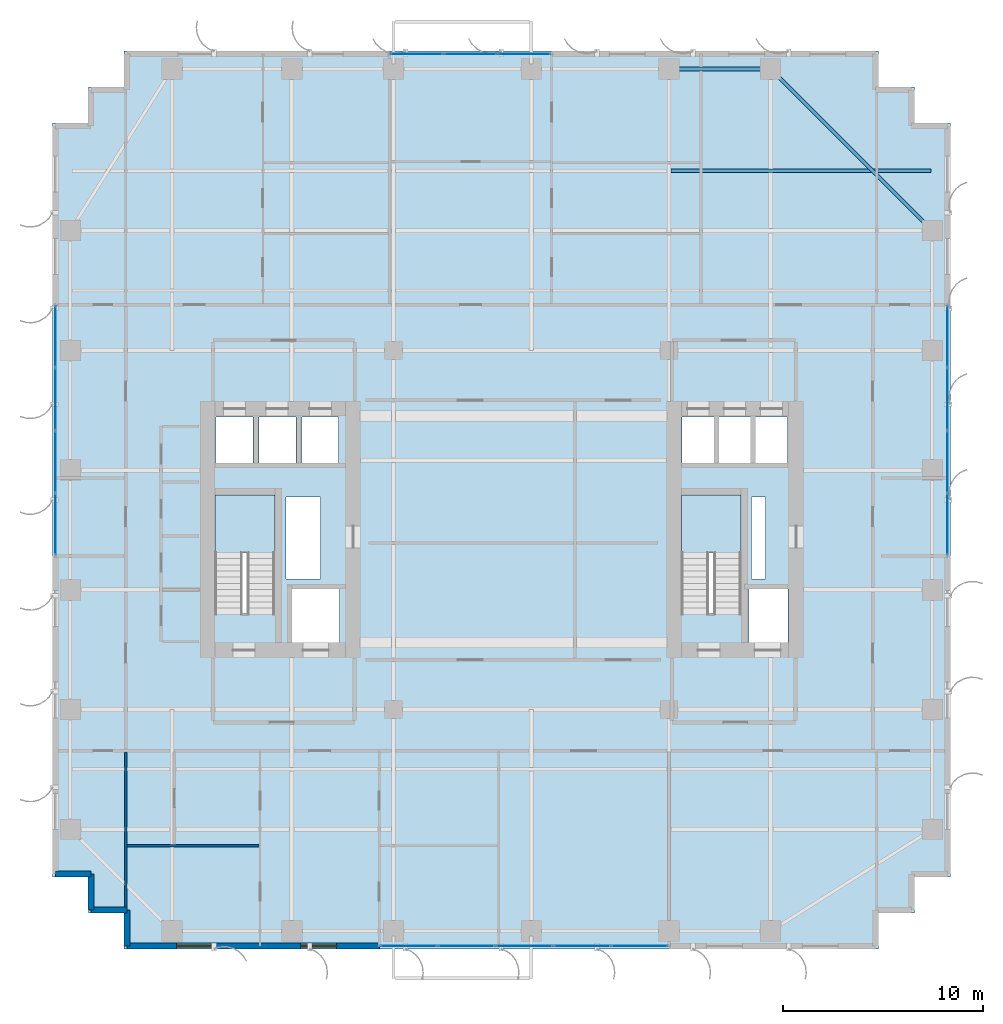
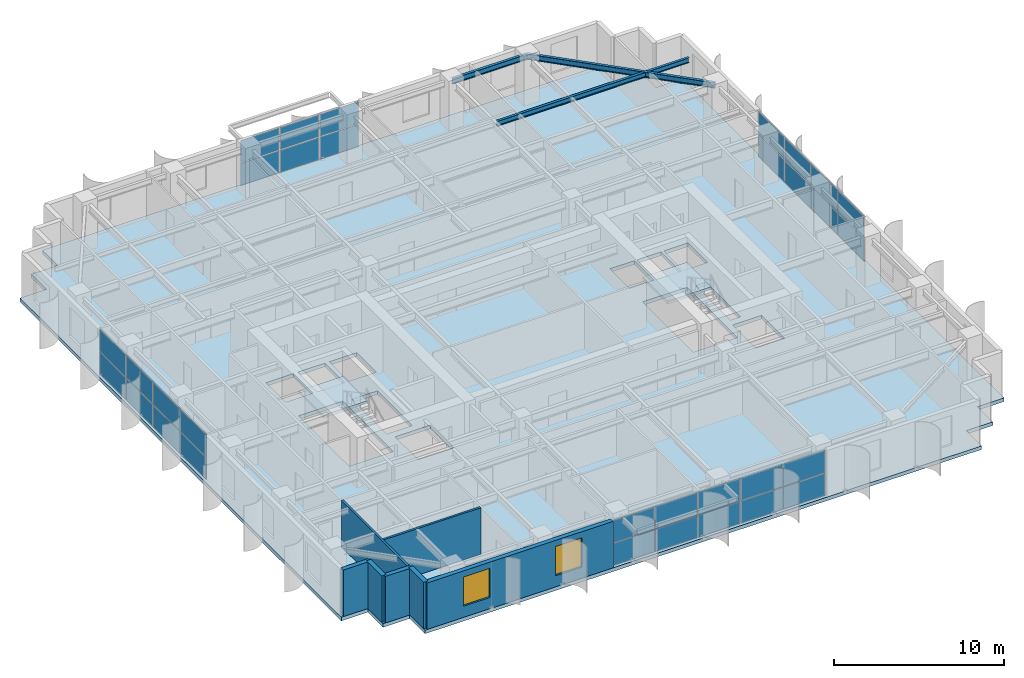
# One storey, part 15 of 23: 32 plates, 7 walls, 3 beams, 3 slabs, 2 windows, 2 openings, 6 elements without a shape of their own.
"""IFC4 building model written with IfcOpenShell, lengths in metres."""

from ifc_helpers import new_model, si_unit, direction, frame, frame_2d, origin, origin_2d, place, context, subcontext, project, spatial, polyline, rectangle, i_section, outline, extrude, source, transform, mapped, material, layer, layer_set, material_profile, profile_set, type_object, element, fill, aggregate, save


model = new_model("IFC4")

# Units and contexts
model_context = context("Model", 3, precision=1e-05, world=origin(), true_north=direction((0.0, 1.0)))
body_context = subcontext(model_context, "Body", "Model", "MODEL_VIEW")
ifc_project = project(units=[si_unit("LENGTHUNIT", "METRE"), si_unit("AREAUNIT", "SQUARE_METRE"), si_unit("VOLUMEUNIT", "CUBIC_METRE"), si_unit("PLANEANGLEUNIT", "RADIAN"), si_unit("MASSUNIT", "GRAM", prefix="KILO")], contexts=[model_context])

# Site, building, storey
site_placement = place(None, origin())
site = spatial("IfcSite", under=ifc_project, at=site_placement, CompositionType="ELEMENT")
building_placement = place(site_placement, origin())
building = spatial("IfcBuilding", under=site, at=building_placement, Name="Khoralis Quay Care Tower", CompositionType="ELEMENT")
storey_placement = place(building_placement, frame((0.0, 0.0, 119.699951171875)))
storey = spatial("IfcBuildingStorey", under=building, at=storey_placement, Name="L31", CompositionType="ELEMENT", Elevation=119.699951171875)

# Beams
ifc_material_1 = material(Name="Steel S355", Category="steel")
ifc_material_profile_1 = material_profile(ifc_material_1, i_section(OverallWidth=0.179931640625, OverallDepth=0.39990234375, WebThickness=0.008544921875, FlangeThickness=0.013427734375, FilletRadius=0.02099609375, at=origin_2d()), Name="Steel S355")
ifc_profile_set_1 = profile_set([ifc_material_profile_1], Name="Steel S355")
beam_type_1 = type_object("IfcBeamType", Name="BM-IPE400", PredefinedType="SPANDREL", material=ifc_profile_set_1)
shared_shape_1 = source(origin(), body_context, "Body", "SweptSolid", [
    extrude(i_section(OverallWidth=0.179931640625, OverallDepth=0.39990234375, WebThickness=0.008544921875, FlangeThickness=0.013427734375, FilletRadius=0.02099609375, at=origin_2d()), origin(), (0.0, 0.0, 1.0), 5.10009765625),
])
beam_1_placement = place(storey_placement, frame((30.89990234375, 44.10009765625, 3.14013671875), z_axis=(1.0, 0.0, 0.0), x_axis=(0.0, 1.0, 0.0)))
element("IfcBeam", 1, at=beam_1_placement, inside=storey, type_object=beam_type_1, Name="BM-TSP-L31-10", PredefinedType="SPANDREL", context=body_context, shape_type="MappedRepresentation", body=[
    mapped(shared_shape_1, transform((0.0, 0.0, 0.0), scale=1.0)),
])
shared_shape_2 = source(origin(), body_context, "Body", "SweptSolid", [
    extrude(i_section(OverallWidth=0.179931640625, OverallDepth=0.39990234375, WebThickness=0.008544921875, FlangeThickness=0.013427734375, FilletRadius=0.02099609375, at=origin_2d()), origin(), (0.0, 0.0, 1.0), 11.455322265625),
])
beam_2_placement = place(storey_placement, frame((36.0, 44.10009765625, 3.14013671875), z_axis=(0.707106781187, -0.707106781187, 0.0), x_axis=(0.707106781187, 0.707106781187, 0.0)))
element("IfcBeam", 2, at=beam_2_placement, inside=storey, type_object=beam_type_1, Name="BM-TCR-L31-24", PredefinedType="SPANDREL", context=body_context, shape_type="MappedRepresentation", body=[
    mapped(shared_shape_2, transform((0.0, 0.0, 0.0), scale=1.0)),
])
ifc_material_profile_2 = material_profile(ifc_material_1, i_section(OverallWidth=0.1708984375, OverallDepth=0.35498046875, WebThickness=0.007080078125, FlangeThickness=0.01171875, FilletRadius=0.012939453125, at=origin_2d()), Name="Steel S355")
ifc_profile_set_2 = profile_set([ifc_material_profile_2], Name="Steel S355")
beam_type_2 = type_object("IfcBeamType", Name="BM-W360X51", PredefinedType="JOIST", material=ifc_profile_set_2)
shared_shape_3 = source(origin(), body_context, "Body", "SweptSolid", [
    extrude(i_section(OverallWidth=0.1708984375, OverallDepth=0.35498046875, WebThickness=0.007080078125, FlangeThickness=0.01171875, FilletRadius=0.012939453125, at=origin_2d()), origin(), (0.0, 0.0, 1.0), 13.030029296875),
])
beam_3_placement = place(storey_placement, frame((30.993896484375, 39.0, 3.16259765625), z_axis=(1.0, 0.0, 0.0), x_axis=(0.0, 1.0, 0.0)))
element("IfcBeam", 3, at=beam_3_placement, inside=storey, type_object=beam_type_2, Name="BM-TJS-L31-32", PredefinedType="JOIST", context=body_context, shape_type="MappedRepresentation", body=[
    mapped(shared_shape_3, transform((0.0, 0.0, 0.0), scale=1.0)),
])

# Stair, slab
ifc_material_2 = material(Name="Precast concrete C45/55", Category="concrete")
stair_type = type_object("IfcStairType", Name="ST-TWR-DOGLEG-1400", PredefinedType="HALF_TURN_STAIR", material=ifc_material_2)
stair_1_placement = place(storey_placement, origin())
stair_1 = element("IfcStair", 4, at=stair_1_placement, inside=storey, type_object=stair_type, Name="L31 West Core Exit Stair ST-T1", PredefinedType="HALF_TURN_STAIR")
ifc_layer_1 = layer(ifc_material_2, 0.199951171875)
ifc_layer_set_1 = layer_set([ifc_layer_1], Name="Precast concrete C45/55")
slab_type_1 = type_object("IfcSlabType", Name="SLB-LANDING-200", PredefinedType="LANDING", material=ifc_layer_set_1)
slab_1_placement = place(storey_placement, frame((0.0, 0.0, 1.60009765625)))
slab_1 = element("IfcSlab", 5, at=slab_1_placement, type_object=slab_type_1, Name="ST-T1 landing 1", PredefinedType="LANDING", context=body_context, shape_type="SweptSolid", body=[
    extrude(outline(polyline([(11.14990234375, 19.840087890625), (11.14990234375, 22.75), (8.14990234375, 22.75), (8.14990234375, 19.840087890625), (11.14990234375, 19.840087890625)])), origin(), (0.0, 0.0, 1.0), 0.199951171875),
])
aggregate(stair_1, [slab_1])

stair_2_placement = place(storey_placement, origin())
stair_2 = element("IfcStair", 6, at=stair_2_placement, inside=storey, type_object=stair_type, Name="L31 East Core Exit Stair ST-T2", PredefinedType="HALF_TURN_STAIR")
slab_2_placement = place(storey_placement, frame((0.0, 0.0, 1.60009765625)))
slab_2 = element("IfcSlab", 7, at=slab_2_placement, type_object=slab_type_1, Name="ST-T2 landing 1", PredefinedType="LANDING", context=body_context, shape_type="SweptSolid", body=[
    extrude(outline(polyline([(34.52001953125, 19.840087890625), (34.52001953125, 22.75), (31.52001953125, 22.75), (31.52001953125, 19.840087890625), (34.52001953125, 19.840087890625)])), origin(), (0.0, 0.0, 1.0), 0.199951171875),
])
aggregate(stair_2, [slab_2])

# Slab
ifc_material_3 = material(Name="Concrete C40/50", Category="concrete")
ifc_layer_2 = layer(ifc_material_3, 0.260009765625)
ifc_layer_set_2 = layer_set([ifc_layer_2], Name="Concrete C40/50")
slab_type_2 = type_object("IfcSlabType", Name="SLB-TWR-260", PredefinedType="FLOOR", material=ifc_layer_set_2)
slab_3_placement = place(storey_placement, frame((0.0, 0.0, -0.260009765625)))
element("IfcSlab", 8, at=slab_3_placement, inside=storey, type_object=slab_type_2, Name="Tower Floor Slab L31", PredefinedType="FLOOR", context=body_context, shape_type="SweptSolid", body=[
    extrude(outline(polyline([(3.60009765625, 0.0), (41.39990234375, 0.0), (41.39990234375, 1.800048828125), (43.199951171875, 1.800048828125), (43.199951171875, 3.60009765625), (45.0, 3.60009765625), (45.0, 41.39990234375), (43.199951171875, 41.39990234375), (43.199951171875, 43.199951171875), (41.39990234375, 43.199951171875), (41.39990234375, 45.0), (3.60009765625, 45.0), (3.60009765625, 43.199951171875), (1.800048828125, 43.199951171875), (1.800048828125, 41.39990234375), (0.0, 41.39990234375), (0.0, 3.60009765625), (1.800048828125, 3.60009765625), (1.800048828125, 1.800048828125), (3.60009765625, 1.800048828125), (3.60009765625, 0.0)]), holes=[polyline([(11.14990234375, 16.800048828125), (11.14990234375, 22.75), (8.14990234375, 22.75), (8.14990234375, 16.800048828125), (11.14990234375, 16.800048828125)]), polyline([(34.52001953125, 16.800048828125), (34.52001953125, 22.75), (31.52001953125, 22.75), (31.52001953125, 16.800048828125), (34.52001953125, 16.800048828125)]), polyline([(12.0, 15.35009765625), (14.39990234375, 15.35009765625), (14.39990234375, 18.050048828125), (12.0, 18.050048828125), (12.0, 15.35009765625)]), polyline([(34.919921875, 15.35009765625), (36.8798828125, 15.35009765625), (36.8798828125, 18.050048828125), (34.919921875, 18.050048828125), (34.919921875, 15.35009765625)]), polyline([(8.199951171875, 24.35009765625), (10.050048828125, 24.35009765625), (10.050048828125, 26.64990234375), (8.199951171875, 26.64990234375), (8.199951171875, 24.35009765625)]), polyline([(31.550048828125, 24.35009765625), (33.199951171875, 24.35009765625), (33.199951171875, 26.64990234375), (31.550048828125, 26.64990234375), (31.550048828125, 24.35009765625)]), polyline([(10.35009765625, 24.35009765625), (12.199951171875, 24.35009765625), (12.199951171875, 26.64990234375), (10.35009765625, 26.64990234375), (10.35009765625, 24.35009765625)]), polyline([(33.3798828125, 24.35009765625), (35.030029296875, 24.35009765625), (35.030029296875, 26.64990234375), (33.3798828125, 26.64990234375), (33.3798828125, 24.35009765625)]), polyline([(12.5, 24.35009765625), (14.35009765625, 24.35009765625), (14.35009765625, 26.64990234375), (12.5, 26.64990234375), (12.5, 24.35009765625)]), polyline([(35.199951171875, 24.35009765625), (36.85009765625, 24.35009765625), (36.85009765625, 26.64990234375), (35.199951171875, 26.64990234375), (35.199951171875, 24.35009765625)]), polyline([(11.719970703125, 18.550048828125), (13.449951171875, 18.550048828125), (13.449951171875, 22.64990234375), (11.719970703125, 22.64990234375), (11.719970703125, 18.550048828125)]), polyline([(35.050048828125, 18.550048828125), (35.75, 18.550048828125), (35.75, 22.64990234375), (35.050048828125, 22.64990234375), (35.050048828125, 18.550048828125)])]), origin(), (0.0, 0.0, 1.0), 0.260009765625),
])

# Curtain wall, plates
ifc_material_4 = material(Name="Pale anodised aluminium", Category="aluminium")
ifc_layer_3 = layer(ifc_material_4, 0.169921875)
ifc_layer_set_3 = layer_set([ifc_layer_3], Name="Pale anodised aluminium")
curtain_wall_type = type_object("IfcCurtainWallType", Name="CW-SYS-Z2", PredefinedType="NOTDEFINED", material=ifc_layer_set_3)
curtain_wall_1_placement = place(storey_placement, origin())
curtain_wall_1 = element("IfcCurtainWall", 9, at=curtain_wall_1_placement, inside=storey, type_object=curtain_wall_type, Name="L31 Unitised Curtain Wall CW-L31-P1-E5", PredefinedType="NOTDEFINED")
ifc_material_5 = material(Name="Low-E solar-control double glazing", Category="glass")
ifc_layer_4 = layer(ifc_material_5, 0.031982421875)
ifc_layer_set_4 = layer_set([ifc_layer_4], Name="Low-E solar-control double glazing")
plate_type = type_object("IfcPlateType", Name="PNL-VIS-32", PredefinedType="CURTAIN_PANEL", material=ifc_layer_set_4)
shared_shape_4 = source(origin(), body_context, "Body", "SweptSolid", [
    extrude(rectangle(XDim=3.054931640625, YDim=0.028076171875, at=origin_2d()), origin(), (0.0, 0.0, 1.0), 1.580078125),
])
plate_1_placement = place(storey_placement, frame((44.85009765625, 21.28759765625, 0.06005859375), z_axis=(0.0, 0.0, 1.0), x_axis=(0.0, 1.0, 0.0)))
plate_1 = element("IfcPlate", 10, at=plate_1_placement, type_object=plate_type, Name="CW2 panel 1.1", PredefinedType="CURTAIN_PANEL", context=body_context, shape_type="MappedRepresentation", body=[
    mapped(shared_shape_4, transform((0.0, 0.0, 0.0), scale=1.0)),
])
plate_2_placement = place(storey_placement, frame((44.85009765625, 21.28759765625, 1.699951171875), z_axis=(0.0, 0.0, 1.0), x_axis=(0.0, 1.0, 0.0)))
plate_2 = element("IfcPlate", 11, at=plate_2_placement, type_object=plate_type, Name="CW2 panel 1.2", PredefinedType="CURTAIN_PANEL", context=body_context, shape_type="MappedRepresentation", body=[
    mapped(shared_shape_4, transform((0.0, 0.0, 0.0), scale=1.0)),
])
plate_3_placement = place(storey_placement, frame((44.85009765625, 30.6923828125, 0.06005859375), z_axis=(0.0, 0.0, 1.0), x_axis=(0.0, 1.0, 0.0)))
plate_3 = element("IfcPlate", 12, at=plate_3_placement, type_object=plate_type, Name="CW2 panel 4.1", PredefinedType="CURTAIN_PANEL", context=body_context, shape_type="MappedRepresentation", body=[
    mapped(shared_shape_4, transform((0.0, 0.0, 0.0), scale=1.0)),
])
plate_4_placement = place(storey_placement, frame((44.85009765625, 30.6923828125, 1.699951171875), z_axis=(0.0, 0.0, 1.0), x_axis=(0.0, 1.0, 0.0)))
plate_4 = element("IfcPlate", 13, at=plate_4_placement, type_object=plate_type, Name="CW2 panel 4.2", PredefinedType="CURTAIN_PANEL", context=body_context, shape_type="MappedRepresentation", body=[
    mapped(shared_shape_4, transform((0.0, 0.0, 0.0), scale=1.0)),
])

curtain_wall_2_placement = place(storey_placement, origin())
curtain_wall_2 = element("IfcCurtainWall", 14, at=curtain_wall_2_placement, inside=storey, type_object=curtain_wall_type, Name="L31 Unitised Curtain Wall CW-L31-P1-E15", PredefinedType="NOTDEFINED")
plate_5_placement = place(storey_placement, frame((0.14990234375, 30.6923828125, 0.06005859375), z_axis=(0.0, 0.0, 1.0), x_axis=(0.0, -1.0, 0.0)))
plate_5 = element("IfcPlate", 15, at=plate_5_placement, type_object=plate_type, Name="CW2 panel 1.1", PredefinedType="CURTAIN_PANEL", context=body_context, shape_type="MappedRepresentation", body=[
    mapped(shared_shape_4, transform((0.0, 0.0, 0.0), scale=1.0)),
])
plate_6_placement = place(storey_placement, frame((0.14990234375, 30.6923828125, 1.699951171875), z_axis=(0.0, 0.0, 1.0), x_axis=(0.0, -1.0, 0.0)))
plate_6 = element("IfcPlate", 16, at=plate_6_placement, type_object=plate_type, Name="CW2 panel 1.2", PredefinedType="CURTAIN_PANEL", context=body_context, shape_type="MappedRepresentation", body=[
    mapped(shared_shape_4, transform((0.0, 0.0, 0.0), scale=1.0)),
])
plate_7_placement = place(storey_placement, frame((0.14990234375, 21.28759765625, 0.06005859375), z_axis=(0.0, 0.0, 1.0), x_axis=(0.0, -1.0, 0.0)))
plate_7 = element("IfcPlate", 17, at=plate_7_placement, type_object=plate_type, Name="CW2 panel 4.1", PredefinedType="CURTAIN_PANEL", context=body_context, shape_type="MappedRepresentation", body=[
    mapped(shared_shape_4, transform((0.0, 0.0, 0.0), scale=1.0)),
])
plate_8_placement = place(storey_placement, frame((0.14990234375, 21.28759765625, 1.699951171875), z_axis=(0.0, 0.0, 1.0), x_axis=(0.0, -1.0, 0.0)))
plate_8 = element("IfcPlate", 18, at=plate_8_placement, type_object=plate_type, Name="CW2 panel 4.2", PredefinedType="CURTAIN_PANEL", context=body_context, shape_type="MappedRepresentation", body=[
    mapped(shared_shape_4, transform((0.0, 0.0, 0.0), scale=1.0)),
])

# Plate
shared_shape_5 = source(origin(), body_context, "Body", "SweptSolid", [
    extrude(rectangle(XDim=3.0849609375, YDim=0.028076171875, at=origin_2d()), origin(), (0.0, 0.0, 1.0), 1.580078125),
])
plate_9_placement = place(storey_placement, frame((44.85009765625, 24.41748046875, 0.06005859375), z_axis=(0.0, 0.0, 1.0), x_axis=(0.0, 1.0, 0.0)))
plate_9 = element("IfcPlate", 19, at=plate_9_placement, type_object=plate_type, Name="CW2 panel 2.1", PredefinedType="CURTAIN_PANEL", context=body_context, shape_type="MappedRepresentation", body=[
    mapped(shared_shape_5, transform((0.0, 0.0, 0.0), scale=1.0)),
])

plate_10_placement = place(storey_placement, frame((44.85009765625, 24.41748046875, 1.699951171875), z_axis=(0.0, 0.0, 1.0), x_axis=(0.0, 1.0, 0.0)))
plate_10 = element("IfcPlate", 20, at=plate_10_placement, type_object=plate_type, Name="CW2 panel 2.2", PredefinedType="CURTAIN_PANEL", context=body_context, shape_type="MappedRepresentation", body=[
    mapped(shared_shape_5, transform((0.0, 0.0, 0.0), scale=1.0)),
])

plate_11_placement = place(storey_placement, frame((44.85009765625, 27.5625, 0.06005859375), z_axis=(0.0, 0.0, 1.0), x_axis=(0.0, 1.0, 0.0)))
plate_11 = element("IfcPlate", 21, at=plate_11_placement, type_object=plate_type, Name="CW2 panel 3.1", PredefinedType="CURTAIN_PANEL", context=body_context, shape_type="MappedRepresentation", body=[
    mapped(shared_shape_5, transform((0.0, 0.0, 0.0), scale=1.0)),
])

plate_12_placement = place(storey_placement, frame((44.85009765625, 27.5625, 1.699951171875), z_axis=(0.0, 0.0, 1.0), x_axis=(0.0, 1.0, 0.0)))
plate_12 = element("IfcPlate", 22, at=plate_12_placement, type_object=plate_type, Name="CW2 panel 3.2", PredefinedType="CURTAIN_PANEL", context=body_context, shape_type="MappedRepresentation", body=[
    mapped(shared_shape_5, transform((0.0, 0.0, 0.0), scale=1.0)),
])

aggregate(curtain_wall_1, [plate_1, plate_2, plate_9, plate_10, plate_11, plate_12, plate_3, plate_4])

plate_13_placement = place(storey_placement, frame((0.14990234375, 27.5625, 0.06005859375), z_axis=(0.0, 0.0, 1.0), x_axis=(0.0, -1.0, 0.0)))
plate_13 = element("IfcPlate", 23, at=plate_13_placement, type_object=plate_type, Name="CW2 panel 2.1", PredefinedType="CURTAIN_PANEL", context=body_context, shape_type="MappedRepresentation", body=[
    mapped(shared_shape_5, transform((0.0, 0.0, 0.0), scale=1.0)),
])

plate_14_placement = place(storey_placement, frame((0.14990234375, 27.5625, 1.699951171875), z_axis=(0.0, 0.0, 1.0), x_axis=(0.0, -1.0, 0.0)))
plate_14 = element("IfcPlate", 24, at=plate_14_placement, type_object=plate_type, Name="CW2 panel 2.2", PredefinedType="CURTAIN_PANEL", context=body_context, shape_type="MappedRepresentation", body=[
    mapped(shared_shape_5, transform((0.0, 0.0, 0.0), scale=1.0)),
])

plate_15_placement = place(storey_placement, frame((0.14990234375, 24.41748046875, 0.06005859375), z_axis=(0.0, 0.0, 1.0), x_axis=(0.0, -1.0, 0.0)))
plate_15 = element("IfcPlate", 25, at=plate_15_placement, type_object=plate_type, Name="CW2 panel 3.1", PredefinedType="CURTAIN_PANEL", context=body_context, shape_type="MappedRepresentation", body=[
    mapped(shared_shape_5, transform((0.0, 0.0, 0.0), scale=1.0)),
])

plate_16_placement = place(storey_placement, frame((0.14990234375, 24.41748046875, 1.699951171875), z_axis=(0.0, 0.0, 1.0), x_axis=(0.0, -1.0, 0.0)))
plate_16 = element("IfcPlate", 26, at=plate_16_placement, type_object=plate_type, Name="CW2 panel 3.2", PredefinedType="CURTAIN_PANEL", context=body_context, shape_type="MappedRepresentation", body=[
    mapped(shared_shape_5, transform((0.0, 0.0, 0.0), scale=1.0)),
])

aggregate(curtain_wall_2, [plate_5, plate_6, plate_13, plate_14, plate_15, plate_16, plate_7, plate_8])

# Curtain wall, plates
curtain_wall_3_placement = place(storey_placement, origin())
curtain_wall_3 = element("IfcCurtainWall", 27, at=curtain_wall_3_placement, inside=storey, type_object=curtain_wall_type, Name="L31 Unitised Curtain Wall CW-L31-P1-E0", PredefinedType="NOTDEFINED")
shared_shape_6 = source(origin(), body_context, "Body", "SweptSolid", [
    extrude(rectangle(XDim=2.814208984375, YDim=0.028076171875, at=origin_2d()), origin(), (0.0, 0.0, 1.0), 1.580078125),
])
plate_17_placement = place(storey_placement, frame((17.856201171875, 0.14990234375, 0.06005859375), z_axis=(0.0, 0.0, 1.0), x_axis=(1.0, 0.0, 0.0)))
plate_17 = element("IfcPlate", 28, at=plate_17_placement, type_object=plate_type, Name="CW2 panel 1.1", PredefinedType="CURTAIN_PANEL", context=body_context, shape_type="MappedRepresentation", body=[
    mapped(shared_shape_6, transform((0.0, 0.0, 0.0), scale=1.0)),
])
plate_18_placement = place(storey_placement, frame((17.856201171875, 0.14990234375, 1.699951171875), z_axis=(0.0, 0.0, 1.0), x_axis=(1.0, 0.0, 0.0)))
plate_18 = element("IfcPlate", 29, at=plate_18_placement, type_object=plate_type, Name="CW2 panel 1.2", PredefinedType="CURTAIN_PANEL", context=body_context, shape_type="MappedRepresentation", body=[
    mapped(shared_shape_6, transform((0.0, 0.0, 0.0), scale=1.0)),
])
plate_19_placement = place(storey_placement, frame((29.44287109375, 0.14990234375, 0.06005859375), z_axis=(0.0, 0.0, 1.0), x_axis=(1.0, 0.0, 0.0)))
plate_19 = element("IfcPlate", 30, at=plate_19_placement, type_object=plate_type, Name="CW2 panel 5.1", PredefinedType="CURTAIN_PANEL", context=body_context, shape_type="MappedRepresentation", body=[
    mapped(shared_shape_6, transform((0.0, 0.0, 0.0), scale=1.0)),
])
plate_20_placement = place(storey_placement, frame((29.44287109375, 0.14990234375, 1.699951171875), z_axis=(0.0, 0.0, 1.0), x_axis=(1.0, 0.0, 0.0)))
plate_20 = element("IfcPlate", 31, at=plate_20_placement, type_object=plate_type, Name="CW2 panel 5.2", PredefinedType="CURTAIN_PANEL", context=body_context, shape_type="MappedRepresentation", body=[
    mapped(shared_shape_6, transform((0.0, 0.0, 0.0), scale=1.0)),
])
shared_shape_7 = source(origin(), body_context, "Body", "SweptSolid", [
    extrude(rectangle(XDim=2.84423828125, YDim=0.028076171875, at=origin_2d()), origin(), (0.0, 0.0, 1.0), 1.580078125),
])
plate_21_placement = place(storey_placement, frame((20.745361328125, 0.14990234375, 0.06005859375), z_axis=(0.0, 0.0, 1.0), x_axis=(1.0, 0.0, 0.0)))
plate_21 = element("IfcPlate", 32, at=plate_21_placement, type_object=plate_type, Name="CW2 panel 2.1", PredefinedType="CURTAIN_PANEL", context=body_context, shape_type="MappedRepresentation", body=[
    mapped(shared_shape_7, transform((0.0, 0.0, 0.0), scale=1.0)),
])
plate_22_placement = place(storey_placement, frame((20.745361328125, 0.14990234375, 1.699951171875), z_axis=(0.0, 0.0, 1.0), x_axis=(1.0, 0.0, 0.0)))
plate_22 = element("IfcPlate", 33, at=plate_22_placement, type_object=plate_type, Name="CW2 panel 2.2", PredefinedType="CURTAIN_PANEL", context=body_context, shape_type="MappedRepresentation", body=[
    mapped(shared_shape_7, transform((0.0, 0.0, 0.0), scale=1.0)),
])
plate_23_placement = place(storey_placement, frame((23.6494140625, 0.14990234375, 0.06005859375), z_axis=(0.0, 0.0, 1.0), x_axis=(1.0, 0.0, 0.0)))
plate_23 = element("IfcPlate", 34, at=plate_23_placement, type_object=plate_type, Name="CW2 panel 3.1", PredefinedType="CURTAIN_PANEL", context=body_context, shape_type="MappedRepresentation", body=[
    mapped(shared_shape_7, transform((0.0, 0.0, 0.0), scale=1.0)),
])
plate_24_placement = place(storey_placement, frame((23.6494140625, 0.14990234375, 1.699951171875), z_axis=(0.0, 0.0, 1.0), x_axis=(1.0, 0.0, 0.0)))
plate_24 = element("IfcPlate", 35, at=plate_24_placement, type_object=plate_type, Name="CW2 panel 3.2", PredefinedType="CURTAIN_PANEL", context=body_context, shape_type="MappedRepresentation", body=[
    mapped(shared_shape_7, transform((0.0, 0.0, 0.0), scale=1.0)),
])
plate_25_placement = place(storey_placement, frame((26.5537109375, 0.14990234375, 0.06005859375), z_axis=(0.0, 0.0, 1.0), x_axis=(1.0, 0.0, 0.0)))
plate_25 = element("IfcPlate", 36, at=plate_25_placement, type_object=plate_type, Name="CW2 panel 4.1", PredefinedType="CURTAIN_PANEL", context=body_context, shape_type="MappedRepresentation", body=[
    mapped(shared_shape_7, transform((0.0, 0.0, 0.0), scale=1.0)),
])
plate_26_placement = place(storey_placement, frame((26.5537109375, 0.14990234375, 1.699951171875), z_axis=(0.0, 0.0, 1.0), x_axis=(1.0, 0.0, 0.0)))
plate_26 = element("IfcPlate", 37, at=plate_26_placement, type_object=plate_type, Name="CW2 panel 4.2", PredefinedType="CURTAIN_PANEL", context=body_context, shape_type="MappedRepresentation", body=[
    mapped(shared_shape_7, transform((0.0, 0.0, 0.0), scale=1.0)),
])
aggregate(curtain_wall_3, [plate_17, plate_18, plate_21, plate_22, plate_23, plate_24, plate_25, plate_26, plate_19, plate_20])

curtain_wall_4_placement = place(storey_placement, origin())
curtain_wall_4 = element("IfcCurtainWall", 38, at=curtain_wall_4_placement, inside=storey, type_object=curtain_wall_type, Name="L31 Unitised Curtain Wall CW-L31-P1-E10", PredefinedType="NOTDEFINED")
shared_shape_8 = source(origin(), body_context, "Body", "SweptSolid", [
    extrude(rectangle(XDim=2.61572265625, YDim=0.028076171875, at=origin_2d()), origin(), (0.0, 0.0, 1.0), 1.580078125),
])
plate_27_placement = place(storey_placement, frame((23.649169921875, 44.85009765625, 0.06005859375), z_axis=(0.0, 0.0, 1.0), x_axis=(-1.0, 0.0, 0.0)))
plate_27 = element("IfcPlate", 39, at=plate_27_placement, type_object=plate_type, Name="CW2 panel 1.1", PredefinedType="CURTAIN_PANEL", context=body_context, shape_type="MappedRepresentation", body=[
    mapped(shared_shape_8, transform((0.0, 0.0, 0.0), scale=1.0)),
])
plate_28_placement = place(storey_placement, frame((23.649169921875, 44.85009765625, 1.699951171875), z_axis=(0.0, 0.0, 1.0), x_axis=(-1.0, 0.0, 0.0)))
plate_28 = element("IfcPlate", 40, at=plate_28_placement, type_object=plate_type, Name="CW2 panel 1.2", PredefinedType="CURTAIN_PANEL", context=body_context, shape_type="MappedRepresentation", body=[
    mapped(shared_shape_8, transform((0.0, 0.0, 0.0), scale=1.0)),
])
plate_29_placement = place(storey_placement, frame((18.267822265625, 44.85009765625, 0.06005859375), z_axis=(0.0, 0.0, 1.0), x_axis=(-1.0, 0.0, 0.0)))
plate_29 = element("IfcPlate", 41, at=plate_29_placement, type_object=plate_type, Name="CW2 panel 3.1", PredefinedType="CURTAIN_PANEL", context=body_context, shape_type="MappedRepresentation", body=[
    mapped(shared_shape_8, transform((0.0, 0.0, 0.0), scale=1.0)),
])
plate_30_placement = place(storey_placement, frame((18.267822265625, 44.85009765625, 1.699951171875), z_axis=(0.0, 0.0, 1.0), x_axis=(-1.0, 0.0, 0.0)))
plate_30 = element("IfcPlate", 42, at=plate_30_placement, type_object=plate_type, Name="CW2 panel 3.2", PredefinedType="CURTAIN_PANEL", context=body_context, shape_type="MappedRepresentation", body=[
    mapped(shared_shape_8, transform((0.0, 0.0, 0.0), scale=1.0)),
])
shared_shape_9 = source(origin(), body_context, "Body", "SweptSolid", [
    extrude(rectangle(XDim=2.645751953125, YDim=0.028076171875, at=origin_2d()), origin(), (0.0, 0.0, 1.0), 1.580078125),
])
plate_31_placement = place(storey_placement, frame((20.95849609375, 44.85009765625, 0.06005859375), z_axis=(0.0, 0.0, 1.0), x_axis=(-1.0, 0.0, 0.0)))
plate_31 = element("IfcPlate", 43, at=plate_31_placement, type_object=plate_type, Name="CW2 panel 2.1", PredefinedType="CURTAIN_PANEL", context=body_context, shape_type="MappedRepresentation", body=[
    mapped(shared_shape_9, transform((0.0, 0.0, 0.0), scale=1.0)),
])
plate_32_placement = place(storey_placement, frame((20.95849609375, 44.85009765625, 1.699951171875), z_axis=(0.0, 0.0, 1.0), x_axis=(-1.0, 0.0, 0.0)))
plate_32 = element("IfcPlate", 44, at=plate_32_placement, type_object=plate_type, Name="CW2 panel 2.2", PredefinedType="CURTAIN_PANEL", context=body_context, shape_type="MappedRepresentation", body=[
    mapped(shared_shape_9, transform((0.0, 0.0, 0.0), scale=1.0)),
])
aggregate(curtain_wall_4, [plate_27, plate_28, plate_31, plate_32, plate_29, plate_30])

# Wall, openings, windows
ifc_layer_5 = layer(ifc_material_2, 0.300048828125)
ifc_layer_set_5 = layer_set([ifc_layer_5], Name="Precast concrete C45/55")
wall_type_1 = type_object("IfcWallType", Name="WL-EXT-REF-300", PredefinedType="SOLIDWALL", material=ifc_layer_set_5)
wall_1_placement = place(storey_placement, frame((3.75, 0.14990234375, 0.0), z_axis=(0.0, 0.0, 1.0), x_axis=(1.0, 0.0, 0.0)))
wall_1 = element("IfcWall", 45, at=wall_1_placement, inside=storey, type_object=wall_type_1, Name="L31 External Facade Wall WL-EXT-L31-P1-E0A", PredefinedType="SOLIDWALL", context=body_context, shape_type="SweptSolid", body=[
    extrude(rectangle(XDim=12.638916015625, YDim=0.300048828125, at=frame_2d((6.3193359375, 0.0))), origin(), (0.0, 0.0, 1.0), 3.340087890625),
])
opening_1_placement = place(wall_1_placement, frame((2.47900390625, 0.0, 0.800048828125)))
opening_1 = element("IfcOpeningElement", 46, at=opening_1_placement, cuts=wall_1, Name="Opening W2", PredefinedType="OPENING", context=body_context, shape_type="SweptSolid", body=[
    extrude(rectangle(XDim=1.800048828125, YDim=2.10009765625, at=frame_2d((0.89990234375, 1.050048828125))), frame((0.0, 0.16015625, 0.0), z_axis=(0.0, -1.0, 0.0), x_axis=(1.0, 0.0, 0.0)), (0.0, 0.0, 1.0), 0.320068359375),
])
opening_2_placement = place(wall_1_placement, frame((8.698486328125, 0.0, 0.800048828125)))
opening_2 = element("IfcOpeningElement", 47, at=opening_2_placement, cuts=wall_1, Name="Opening W2", PredefinedType="OPENING", context=body_context, shape_type="SweptSolid", body=[
    extrude(rectangle(XDim=1.800048828125, YDim=2.10009765625, at=frame_2d((0.89990234375, 1.050048828125))), frame((0.0, 0.16015625, 0.0), z_axis=(0.0, -1.0, 0.0), x_axis=(1.0, 0.0, 0.0)), (0.0, 0.0, 1.0), 0.320068359375),
])
window_type = type_object("IfcWindowType", Name="WN-POD-1800X2100", PartitioningType="SINGLE_PANEL", PredefinedType="WINDOW", material=ifc_material_5)
shared_shape_10 = source(origin(), body_context, "Body", "SweptSolid", [
    extrude(rectangle(XDim=1.800048828125, YDim=2.10009765625, at=frame_2d((0.89990234375, 1.050048828125))), frame((0.0, 0.030029296875, 0.0), z_axis=(0.0, -1.0, 0.0), x_axis=(1.0, 0.0, 0.0)), (0.0, 0.0, 1.0), 0.06005859375),
])
window_1_placement = place(opening_1_placement, origin())
window_1 = element("IfcWindow", 48, at=window_1_placement, inside=storey, type_object=window_type, Name="WN-L31-P1-E0A Facade Window 01", OverallHeight=2.10009765625, OverallWidth=1.800048828125, PartitioningType="SINGLE_PANEL", PredefinedType="WINDOW", context=body_context, shape_type="MappedRepresentation", body=[
    mapped(shared_shape_10, transform((0.0, 0.0, 0.0), scale=1.0)),
])
fill(opening_1, window_1)
window_2_placement = place(opening_2_placement, origin())
window_2 = element("IfcWindow", 49, at=window_2_placement, inside=storey, type_object=window_type, Name="WN-L31-P1-E0A Facade Window 02", OverallHeight=2.10009765625, OverallWidth=1.800048828125, PartitioningType="SINGLE_PANEL", PredefinedType="WINDOW", context=body_context, shape_type="MappedRepresentation", body=[
    mapped(shared_shape_10, transform((0.0, 0.0, 0.0), scale=1.0)),
])
fill(opening_2, window_2)

# Walls
for number, where, z_axis, x_axis, name in (
    (50, (0.14990234375, 3.75, 0.0), (0.0, 0.0, 1.0), (1.0, 0.0, 0.0), "L31 External Facade Wall WL-EXT-L31-P1-C16"),
    (51, (1.949951171875, 3.75, 0.0), (0.0, 0.0, 1.0), (0.0, -1.0, 0.0), "L31 External Facade Wall WL-EXT-L31-P1-C17"),
    (52, (1.949951171875, 1.949951171875, 0.0), (0.0, 0.0, 1.0), (1.0, 0.0, 0.0), "L31 External Facade Wall WL-EXT-L31-P1-C18"),
    (53, (3.75, 1.949951171875, 0.0), (0.0, 0.0, 1.0), (0.0, -1.0, 0.0), "L31 External Facade Wall WL-EXT-L31-P1-C19"),
):
    element("IfcWall", number, at=place(storey_placement, frame(where, z_axis=z_axis, x_axis=x_axis)), inside=storey, type_object=wall_type_1, Name=name, PredefinedType="SOLIDWALL", context=body_context, shape_type="SweptSolid", body=[
        extrude(rectangle(XDim=1.800048828125, YDim=0.300048828125, at=frame_2d((0.89990234375, 0.0))), origin(), (0.0, 0.0, 1.0), 3.340087890625),
    ])
ifc_material_6 = material(Name="Moisture-resistant gypsum and ceramic tile")
ifc_layer_6 = layer(ifc_material_6, 0.280029296875)
ifc_layer_set_6 = layer_set([ifc_layer_6], Name="Moisture-resistant gypsum and ceramic tile")
wall_type_2 = type_object("IfcWallType", Name="WL-PLUMB-280", PredefinedType="PLUMBINGWALL", material=ifc_layer_set_6)
wall_2_placement = place(storey_placement, frame((3.7451171875, 5.1689453125, 0.0), z_axis=(0.0, 0.0, 1.0), x_axis=(1.0, 0.0, 0.0)))
element("IfcWall", 54, at=wall_2_placement, inside=storey, type_object=wall_type_2, Name="L31 2BR 0 Left Split", PredefinedType="PLUMBINGWALL", context=body_context, shape_type="SweptSolid", body=[
    extrude(rectangle(XDim=6.6103515625, YDim=0.139892578125, at=frame_2d((3.30517578125, 0.0))), origin(), (0.0, 0.0, 1.0), 3.340087890625),
])
ifc_material_7 = material(Name="Gypsum plasterboard on acoustic metal stud")
ifc_layer_7 = layer(ifc_material_7, 0.139892578125)
ifc_layer_set_7 = layer_set([ifc_layer_7], Name="Gypsum plasterboard on acoustic metal stud")
wall_type_3 = type_object("IfcWallType", Name="WL-UNIT-140", PredefinedType="PARTITIONING", material=ifc_layer_set_7)
wall_3_placement = place(storey_placement, frame((3.679931640625, 1.945068359375, 0.0), z_axis=(0.0, 0.0, 1.0), x_axis=(0.0, 1.0, 0.0)))
element("IfcWall", 55, at=wall_3_placement, inside=storey, type_object=wall_type_3, Name="L31 SB Demising Wall 0", PredefinedType="PARTITIONING", context=body_context, shape_type="SweptSolid", body=[
    extrude(rectangle(XDim=7.91748046875, YDim=0.139892578125, at=frame_2d((3.958740234375, 0.0))), origin(), (0.0, 0.0, 1.0), 3.340087890625),
])

save(model, "model.ifc")
